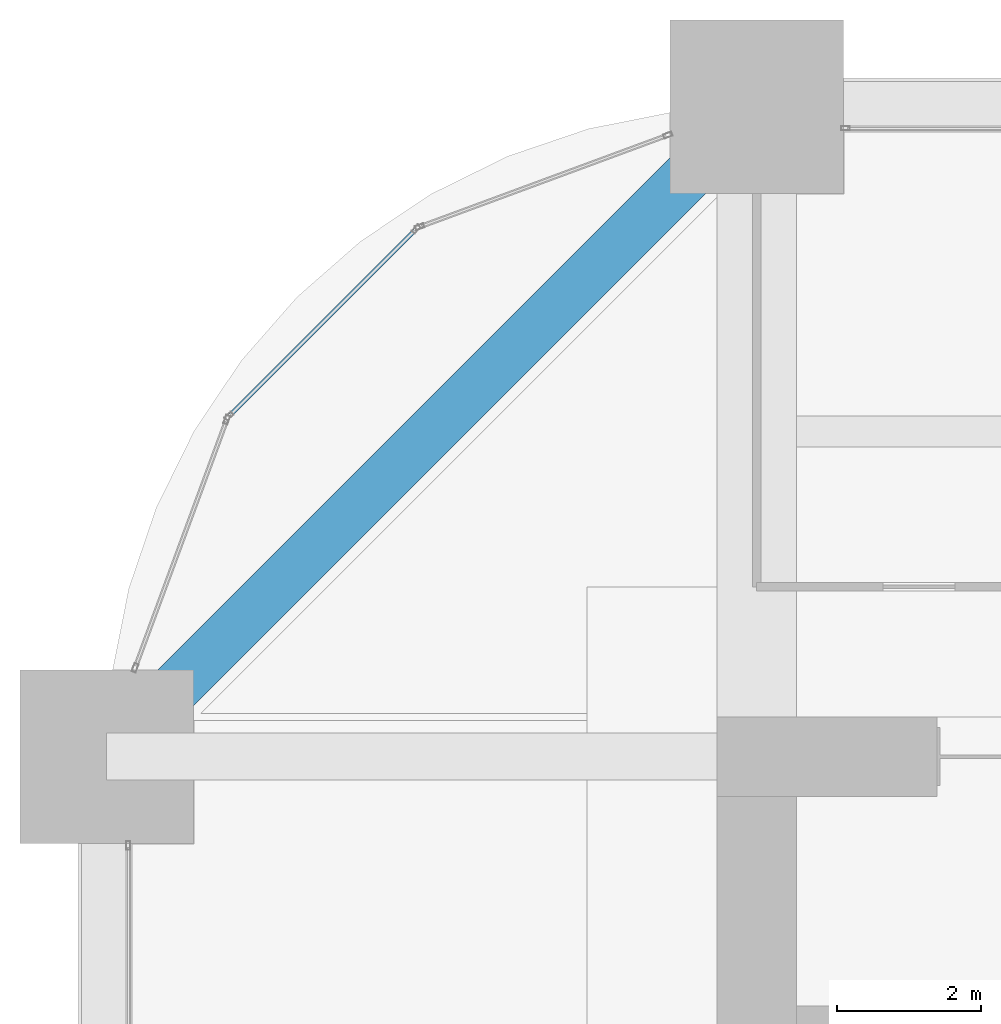
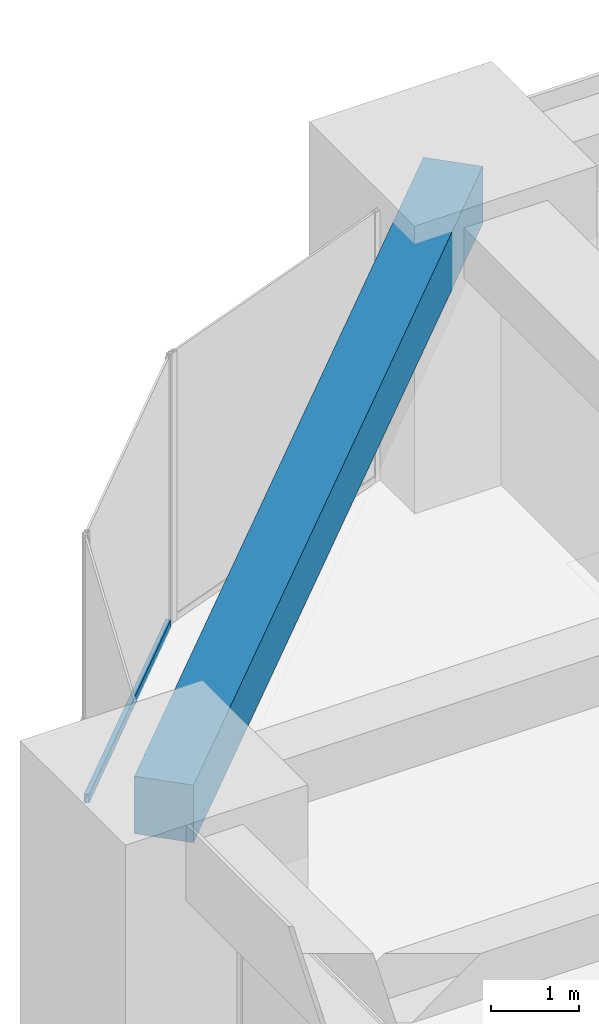
# One storey, part 29 of 45: 1 beam, 1 member, 1 element without a shape of its own.
"""IFC4 building model written with IfcOpenShell, lengths in metres."""

import ifcopenshell
import ifcopenshell.guid

model = None  # the IFC model being written
_history = None  # IfcOwnerHistory: only IFC2X3 demands one
_inside = {}  # id of a spatial element -> (the spatial element, [elements in it])
_under = {}  # id of a project, library or spatial element -> (it, [spatial elements below it])
_declared = {}  # id of a project -> (the project, [libraries it declares])
_typed = {}  # id of a type object -> (the type object, [elements of that type])
_made_of = {}  # id of a material, layer set ... -> (it, [elements and type objects made of it])


def new_model(schema):
    """Start an empty IFC model of exactly this schema.

    Asked for "IFC4X3", IfcOpenShell would pick the latest addendum, in which some entities
    have other attributes; the version numbers below select the first issue.
    IFC2X3 requires an IfcOwnerHistory on every rooted entity: one is made here for all.
    """
    global model, _history
    if schema == "IFC4X3":
        model = ifcopenshell.file(schema_version=(4, 3, 0, 0))
    else:
        model = ifcopenshell.file(schema=schema)
    _inside.clear()
    _under.clear()
    _declared.clear()
    _typed.clear()
    _made_of.clear()
    _history = None
    if model.schema == "IFC2X3":
        org = make("IfcOrganization", Name="unknown")
        user = make(
            "IfcPersonAndOrganization",
            ThePerson=make("IfcPerson", FamilyName="unknown"),
            TheOrganization=org,
        )
        app = make(
            "IfcApplication",
            ApplicationDeveloper=org,
            Version="unknown",
            ApplicationFullName="unknown",
            ApplicationIdentifier="unknown",
        )
        _history = make(
            "IfcOwnerHistory",
            OwningUser=user,
            OwningApplication=app,
            ChangeAction="ADDED",
            CreationDate=0,
        )
    return model


def make(cls, **values):
    """One entity of the class cls with the attributes given. An attribute that is None is left unset."""
    return model.create_entity(
        cls, **{name: value for name, value in values.items() if value is not None}
    )


def rooted(cls, **values):
    """An entity with a GlobalId (a new one), such as an element, a storey or a relation."""
    return make(cls, GlobalId=ifcopenshell.guid.new(), OwnerHistory=_history, **values)


def si_unit(unit_type, name, prefix=None):
    """IfcSIUnit, for example si_unit("LENGTHUNIT", "METRE", prefix="MILLI")."""
    return make("IfcSIUnit", UnitType=unit_type, Prefix=prefix, Name=name)


def assignment(units):
    """IfcUnitAssignment: the units of a project."""
    return None if units is None else make("IfcUnitAssignment", Units=units)


def point(xyz):
    """IfcCartesianPoint."""
    return None if xyz is None else make("IfcCartesianPoint", Coordinates=xyz)


def direction(xyz):
    """IfcDirection."""
    return None if xyz is None else make("IfcDirection", DirectionRatios=xyz)


def frame(location, z_axis=None, x_axis=None):
    """IfcAxis2Placement3D, a coordinate frame: its origin and axes. An axis left out is left unset."""
    return make(
        "IfcAxis2Placement3D",
        Location=point(location),
        Axis=direction(z_axis),
        RefDirection=direction(x_axis),
    )


def frame_2d(location, x_axis=None):
    """IfcAxis2Placement2D, a coordinate frame in the plane: its origin and x axis."""
    return make(
        "IfcAxis2Placement2D", Location=point(location), RefDirection=direction(x_axis)
    )


def origin():
    """The frame at (0, 0, 0) with its axes left unset."""
    return frame((0.0, 0.0, 0.0))


def origin_2d():
    """The frame at (0, 0) in the plane with its x axis left unset."""
    return frame_2d((0.0, 0.0))


def place(relative_to, where):
    """IfcLocalPlacement: puts the frame where relative to a parent placement (None: the world)."""
    return make(
        "IfcLocalPlacement", PlacementRelTo=relative_to, RelativePlacement=where
    )


def context(
    kind, dimensions, precision=None, world=None, true_north=None, identifier=None
):
    """IfcGeometricRepresentationContext, for example the 3D "Model" context."""
    return make(
        "IfcGeometricRepresentationContext",
        ContextIdentifier=identifier,
        ContextType=kind,
        CoordinateSpaceDimension=dimensions,
        Precision=precision,
        WorldCoordinateSystem=world,
        TrueNorth=true_north,
    )


def subcontext(parent, identifier, kind, view, scale=None):
    """IfcGeometricRepresentationSubContext, for example "Body" below "Model"."""
    return make(
        "IfcGeometricRepresentationSubContext",
        ContextIdentifier=identifier,
        ContextType=kind,
        ParentContext=parent,
        TargetScale=scale,
        TargetView=view,
    )


def project(units=None, contexts=None):
    """IfcProject with its units and contexts."""
    return rooted(
        "IfcProject",
        Name="project",
        RepresentationContexts=contexts,
        UnitsInContext=assignment(units),
    )


def spatial(cls, under=None, at=None, **own):
    """A site, building, storey or space (cls), placed at a placement, below another one or the project."""
    s = rooted(cls, ObjectPlacement=at, **own)
    if under is not None:
        _under.setdefault(under.id(), (under, []))[1].append(s)
    return s


def profile(cls, at=None, kind="AREA", **sizes):
    """A parametric profile (cls). Its sizes go by their IFC names, for example OverallWidth=200.0."""
    return make(cls, ProfileType=kind, Position=at, **sizes)


def rectangle(**sizes):
    """IfcRectangleProfileDef."""
    return profile("IfcRectangleProfileDef", **sizes)


def hollow_rectangle(**sizes):
    """IfcRectangleHollowProfileDef."""
    return profile("IfcRectangleHollowProfileDef", **sizes)


def extrude(swept, where, along, depth):
    """IfcExtrudedAreaSolid: the profile swept, set in the frame where, extruded along a direction by depth."""
    return make(
        "IfcExtrudedAreaSolid",
        SweptArea=swept,
        Position=where,
        ExtrudedDirection=direction(along),
        Depth=depth,
    )


def shape(context_of_items, identifier, shape_type, items):
    """IfcShapeRepresentation: the items that make up one representation, for example the "Body"."""
    return make(
        "IfcShapeRepresentation",
        ContextOfItems=context_of_items,
        RepresentationIdentifier=identifier,
        RepresentationType=shape_type,
        Items=items,
    )


def material(Name=None, Category=None):
    """IfcMaterial."""
    return make("IfcMaterial", Name=Name, Category=Category)


def material_profile(
    of_material, cross_section, Name=None, Category=None, Priority=None
):
    """IfcMaterialProfile: a cross section and its material."""
    return make(
        "IfcMaterialProfile",
        Name=Name,
        Material=of_material,
        Profile=cross_section,
        Priority=Priority,
        Category=Category,
    )


def profile_set(profiles, Name=None, composite=None):
    """IfcMaterialProfileSet."""
    return make(
        "IfcMaterialProfileSet",
        Name=Name,
        MaterialProfiles=profiles,
        CompositeProfile=composite,
    )


def made_of(thing, what):
    """Note that an element or type object is made of a material, layer set ...; save() writes the relation."""
    if what is not None:
        _made_of.setdefault(what.id(), (what, []))[1].append(thing)
    return thing


def type_object(cls, material=None, **own):
    """A type object (cls), such as IfcWallType, which elements share."""
    return made_of(rooted(cls, **own), material)


def element(
    cls,
    number,
    at=None,
    inside=None,
    cuts=None,
    type_object=None,
    material=None,
    context=None,
    identifier="Body",
    shape_type=None,
    held_by="IfcProductDefinitionShape",
    body=None,
    shapes=None,
    **own,
):
    """One element of the class cls, such as IfcWall. Its Tag is "e" and its number.

    at: its placement. inside: the storey or other place that contains it. cuts: it is an
    opening in that element (IfcRelVoidsElement). A single representation is given by context,
    identifier, shape_type and body (its items); several are given by shapes. held_by: the class
    of the entity that holds the representations. save() writes the other relations.
    """
    e = rooted(cls, Tag="e%d" % number, ObjectPlacement=at, **own)
    if body is not None:
        shapes = [shape(context, identifier, shape_type, body)]
    if shapes is not None:
        e.Representation = make(held_by, Representations=shapes)
    if inside is not None:
        _inside.setdefault(inside.id(), (inside, []))[1].append(e)
    if cuts is not None:
        rooted(
            "IfcRelVoidsElement", RelatingBuildingElement=cuts, RelatedOpeningElement=e
        )
    if type_object is not None:
        _typed.setdefault(type_object.id(), (type_object, []))[1].append(e)
    return made_of(e, material)


def aggregate(whole, parts):
    """IfcRelAggregates: a whole, such as a stair, and the parts it consists of."""
    return rooted("IfcRelAggregates", RelatingObject=whole, RelatedObjects=parts)


def save(model, path):
    """Write the relations noted so far, then the file.

    IfcRelAggregates (storeys below a building ...), IfcRelContainedInSpatialStructure (elements
    in a storey), IfcRelDefinesByType, IfcRelAssociatesMaterial and IfcRelDeclares: one each for
    every whole, place, type object, material and project.
    """
    for whole, parts in _under.values():
        aggregate(whole, parts)
    for where, things in _inside.values():
        rooted(
            "IfcRelContainedInSpatialStructure",
            RelatedElements=things,
            RelatingStructure=where,
        )
    for kind, things in _typed.values():
        rooted("IfcRelDefinesByType", RelatedObjects=things, RelatingType=kind)
    for what, things in _made_of.values():
        rooted("IfcRelAssociatesMaterial", RelatedObjects=things, RelatingMaterial=what)
    for by, libraries in _declared.values():
        rooted("IfcRelDeclares", RelatingContext=by, RelatedDefinitions=libraries)
    model.write(path)


model = new_model("IFC4")

# Units and contexts
model_context = context("Model", 3, precision=1e-05, world=origin(), true_north=direction((0.0, 1.0)))
body_context = subcontext(model_context, "Body", "Model", "MODEL_VIEW")
ifc_project = project(units=[si_unit("LENGTHUNIT", "METRE"), si_unit("AREAUNIT", "SQUARE_METRE"), si_unit("VOLUMEUNIT", "CUBIC_METRE"), si_unit("PLANEANGLEUNIT", "RADIAN"), si_unit("MASSUNIT", "GRAM", prefix="KILO")], contexts=[model_context])

# Site, building, storey
site_placement = place(None, origin())
site = spatial("IfcSite", under=ifc_project, at=site_placement, CompositionType="ELEMENT")
building_placement = place(site_placement, origin())
building = spatial("IfcBuilding", under=site, at=building_placement, Name="Zorevar Civic Tower", CompositionType="ELEMENT")
storey_placement = place(building_placement, frame((0.0, 0.0, 247.39990234375)))
storey = spatial("IfcBuildingStorey", under=building, at=storey_placement, Name="L60", CompositionType="ELEMENT", Elevation=247.39990234375)

# Curtain wall, member
ifc_material_1 = material(Name="Dark grey solar-control glass in black aluminium frame", Category="aluminium")
curtain_wall_type = type_object("IfcCurtainWallType", Name="Curtain wall CW5 top zone", PredefinedType="NOTDEFINED", material=ifc_material_1)
curtain_wall_placement = place(storey_placement, origin())
curtain_wall = element("IfcCurtainWall", 1, at=curtain_wall_placement, inside=storey, type_object=curtain_wall_type, Name="CW5 L60", PredefinedType="NOTDEFINED")
ifc_material_2 = material(Name="Aluminium, black anodised", Category="aluminium")
ifc_material_profile_1 = material_profile(ifc_material_2, hollow_rectangle(XDim=0.06005859375, YDim=0.1201171875, WallThickness=0.0029296875, at=origin_2d()), Name="AL 120x60x3")
ifc_profile_set_1 = profile_set([ifc_material_profile_1], Name="Aluminium, black anodised")
member_type = type_object("IfcMemberType", Name="CW5 transom AL 120x60x3", PredefinedType="USERDEFINED", material=ifc_profile_set_1)
member_placement = place(storey_placement, frame((13.264892578125, 43.283447265625, 0.030029296875), z_axis=(-0.707106781187, -0.707106781187, 0.0), x_axis=(0.707106781187, -0.707106781187, 0.0)))
member = element("IfcMember", 2, at=member_placement, type_object=member_type, Name="CW5 sill transom", ObjectType="TRANSOM", PredefinedType="USERDEFINED", context=body_context, shape_type="SweptSolid", body=[
    extrude(hollow_rectangle(XDim=0.06005859375, YDim=0.1201171875, WallThickness=0.0029296875, at=origin_2d()), origin(), (0.0, 0.0, 1.0), 3.60400390625),
])
aggregate(curtain_wall, [member])

# Beam
ifc_material_3 = material(Name="Concrete C50/60", Category="concrete")
ifc_material_profile_2 = material_profile(ifc_material_3, rectangle(XDim=0.699951171875, YDim=0.800048828125, at=origin_2d()), Name="RC 700x800")
ifc_profile_set_2 = profile_set([ifc_material_profile_2], Name="Concrete C50/60")
beam_type = type_object("IfcBeamType", Name="Edge beam RC 700x800", PredefinedType="SPANDREL", material=ifc_profile_set_2)
beam_placement = place(storey_placement, frame((18.0, 45.0, 3.35009765625), z_axis=(-0.707106781187, -0.707106781187, 0.0), x_axis=(0.707106781187, -0.707106781187, 0.0)))
element("IfcBeam", 3, at=beam_placement, inside=storey, type_object=beam_type, Name="Corner edge beam L61", PredefinedType="SPANDREL", context=body_context, shape_type="SweptSolid", body=[
    extrude(rectangle(XDim=0.699951171875, YDim=0.800048828125, at=origin_2d()), origin(), (0.0, 0.0, 1.0), 12.72802734375),
])

save(model, "model.ifc")
